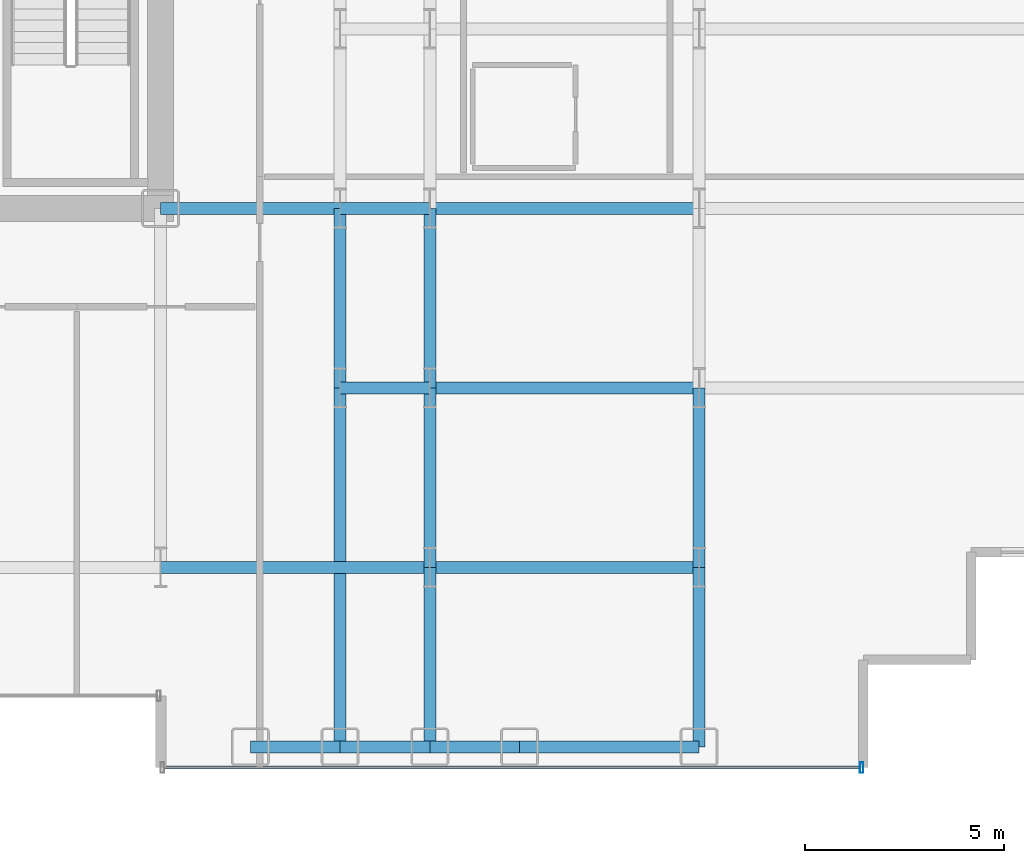
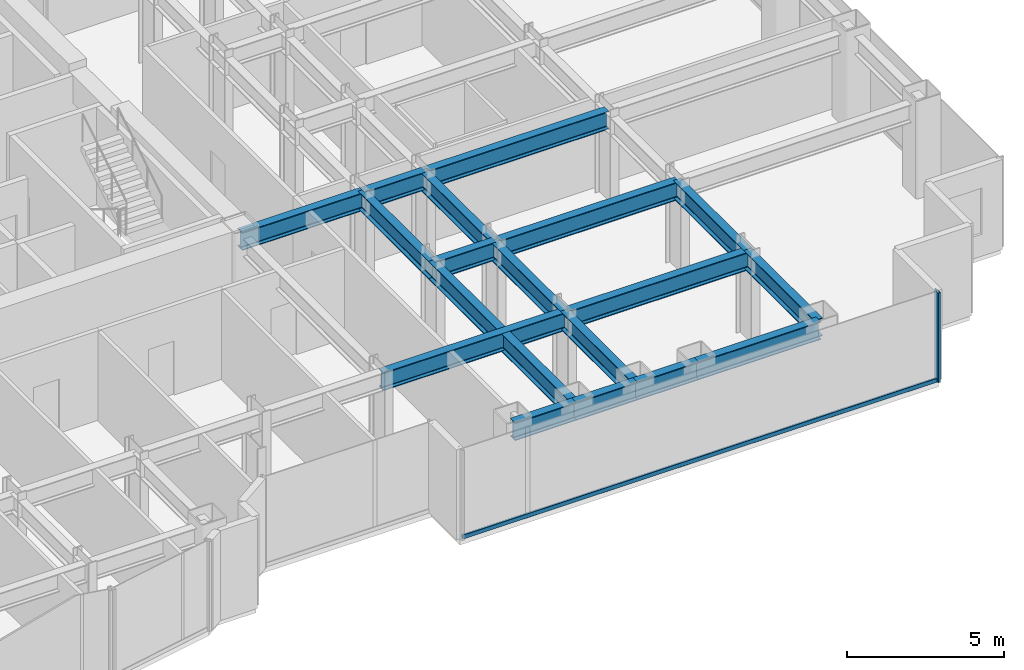
# One storey, part 7 of 26: 18 beams, 2 members, 1 element without a shape of its own.
"""IFC4 building model written with IfcOpenShell, lengths in metres."""

from ifc_helpers import new_model, si_unit, direction, frame, origin, origin_2d, place, context, subcontext, project, spatial, hollow_rectangle, i_section, extrude, source, transform, mapped, material, layer, layer_set, material_profile, profile_set, type_object, element, aggregate, save


model = new_model("IFC4")

# Units and contexts
model_context = context("Model", 3, precision=1e-05, world=origin(), true_north=direction((0.0, 1.0)))
body_context = subcontext(model_context, "Body", "Model", "MODEL_VIEW")
ifc_project = project(units=[si_unit("LENGTHUNIT", "METRE"), si_unit("AREAUNIT", "SQUARE_METRE"), si_unit("VOLUMEUNIT", "CUBIC_METRE"), si_unit("PLANEANGLEUNIT", "RADIAN"), si_unit("MASSUNIT", "GRAM", prefix="KILO")], contexts=[model_context])

# Site, building, storey
site_placement = place(None, origin())
site = spatial("IfcSite", under=ifc_project, at=site_placement, CompositionType="ELEMENT")
building_placement = place(site_placement, origin())
building = spatial("IfcBuilding", under=site, at=building_placement, Name="Nefas-Gora Pilgrimage Tower", CompositionType="ELEMENT")
storey_placement = place(building_placement, frame((0.0, 0.0, 82.39990234375)))
storey = spatial("IfcBuildingStorey", under=building, at=storey_placement, Name="L19", CompositionType="ELEMENT", Elevation=82.39990234375)

# Beams
ifc_material_1 = material(Name="Steel S355", Category="steel")
ifc_material_profile_1 = material_profile(ifc_material_1, i_section(OverallWidth=0.300048828125, OverallDepth=0.699951171875, WebThickness=0.01708984375, FlangeThickness=0.031982421875, FilletRadius=0.027099609375, at=origin_2d()), Name="HEB 700")
ifc_profile_set_1 = profile_set([ifc_material_profile_1], Name="Steel S355")
beam_type_1 = type_object("IfcBeamType", Name="BM-SPN-HEB600", PredefinedType="SPANDREL", material=ifc_profile_set_1)
shared_shape_1 = source(origin(), body_context, "Body", "SweptSolid", [
    extrude(i_section(OverallWidth=0.300048828125, OverallDepth=0.699951171875, WebThickness=0.01708984375, FlangeThickness=0.031982421875, FilletRadius=0.027099609375, at=origin_2d()), origin(), (0.0, 0.0, 1.0), 4.5),
])
beam_1_placement = place(storey_placement, frame((20.25, -22.5, 3.150146484375), z_axis=(1.0, 0.0, 0.0), x_axis=(0.0, 1.0, 0.0)))
element("IfcBeam", 1, at=beam_1_placement, inside=storey, type_object=beam_type_1, Name="L19 SP-01 beam", PredefinedType="SPANDREL", context=body_context, shape_type="MappedRepresentation", body=[
    mapped(shared_shape_1, transform((0.0, 0.0, 0.0), x_axis=(1.0, 0.0, 0.0), y_axis=(0.0, 1.0, 0.0), z_axis=(0.0, 0.0, 1.0), scale=1.0)),
])
ifc_material_profile_2 = material_profile(ifc_material_1, i_section(OverallWidth=0.300048828125, OverallDepth=0.699951171875, WebThickness=0.01708984375, FlangeThickness=0.031982421875, FilletRadius=0.027099609375, at=origin_2d()), Name="HEB 700")
ifc_profile_set_2 = profile_set([ifc_material_profile_2], Name="Steel S355")
beam_type_2 = type_object("IfcBeamType", Name="BM-GIR-HEB700", PredefinedType="BEAM", material=ifc_profile_set_2)
shared_shape_2 = source(origin(), body_context, "Body", "SweptSolid", [
    extrude(i_section(OverallWidth=0.300048828125, OverallDepth=0.699951171875, WebThickness=0.01708984375, FlangeThickness=0.031982421875, FilletRadius=0.027099609375, at=origin_2d()), origin(), (0.0, 0.0, 1.0), 9.0),
])
beam_2_placement = place(storey_placement, frame((15.75, -22.5, 3.150146484375), z_axis=(0.0, 1.0, 0.0), x_axis=(-1.0, 0.0, 0.0)))
element("IfcBeam", 2, at=beam_2_placement, inside=storey, type_object=beam_type_2, Name="L19 G-02 beam", PredefinedType="BEAM", context=body_context, shape_type="MappedRepresentation", body=[
    mapped(shared_shape_2, transform((0.0, 0.0, 0.0), x_axis=(1.0, 0.0, 0.0), y_axis=(0.0, 1.0, 0.0), z_axis=(0.0, 0.0, 1.0), scale=1.0)),
])
shared_shape_3 = source(origin(), body_context, "Body", "SweptSolid", [
    extrude(i_section(OverallWidth=0.300048828125, OverallDepth=0.699951171875, WebThickness=0.01708984375, FlangeThickness=0.031982421875, FilletRadius=0.027099609375, at=origin_2d()), origin(), (0.0, 0.0, 1.0), 4.5),
])
for number, where, z_axis, x_axis, name in (
    (3, (11.25, -9.0, 3.150146484375), (1.0, 0.0, 0.0), (0.0, 1.0, 0.0), "L19 G-02 beam"),
    (4, (15.75, -13.5, 3.150146484375), (0.0, 1.0, 0.0), (-1.0, 0.0, 0.0), "L19 G-02 beam"),
    (5, (18.0, -22.5, 3.150146484375), (0.0, 1.0, 0.0), (-1.0, 0.0, 0.0), "L19 G-02 beam"),
    (6, (18.0, -18.0, 3.150146484375), (0.0, 1.0, 0.0), (-1.0, 0.0, 0.0), "L19 G-02 beam"),
    (7, (18.0, -13.5, 3.150146484375), (0.0, 1.0, 0.0), (-1.0, 0.0, 0.0), "L19 G-02 beam"),
    (8, (24.75, -22.5, 3.150146484375), (0.0, 1.0, 0.0), (-1.0, 0.0, 0.0), "L19 G-02 beam"),
    (9, (24.75, -18.0, 3.150146484375), (0.0, 1.0, 0.0), (-1.0, 0.0, 0.0), "L19 G-02 beam"),
):
    element("IfcBeam", number, at=place(storey_placement, frame(where, z_axis=z_axis, x_axis=x_axis)), inside=storey, type_object=beam_type_2, Name=name, PredefinedType="BEAM", context=body_context, shape_type="MappedRepresentation", body=[
        mapped(shared_shape_3, transform((0.0, 0.0, 0.0), x_axis=(1.0, 0.0, 0.0), y_axis=(0.0, 1.0, 0.0), z_axis=(0.0, 0.0, 1.0), scale=1.0)),
    ])
shared_shape_4 = source(origin(), body_context, "Body", "SweptSolid", [
    extrude(i_section(OverallWidth=0.300048828125, OverallDepth=0.699951171875, WebThickness=0.01708984375, FlangeThickness=0.031982421875, FilletRadius=0.027099609375, at=origin_2d()), origin(), (0.0, 0.0, 1.0), 6.75),
])
for number, where, z_axis, x_axis, name in (
    (10, (11.25, -18.0, 3.150146484375), (1.0, 0.0, 0.0), (0.0, 1.0, 0.0), "L19 G-02 beam"),
    (11, (18.0, -18.0, 3.150146484375), (1.0, 0.0, 0.0), (0.0, 1.0, 0.0), "L19 G-02 beam"),
    (12, (18.0, -13.5, 3.150146484375), (1.0, 0.0, 0.0), (0.0, 1.0, 0.0), "L19 G-02 beam"),
    (13, (18.0, -9.0, 3.150146484375), (1.0, 0.0, 0.0), (0.0, 1.0, 0.0), "L19 G-02 beam"),
):
    element("IfcBeam", number, at=place(storey_placement, frame(where, z_axis=z_axis, x_axis=x_axis)), inside=storey, type_object=beam_type_2, Name=name, PredefinedType="BEAM", context=body_context, shape_type="MappedRepresentation", body=[
        mapped(shared_shape_4, transform((0.0, 0.0, 0.0), x_axis=(1.0, 0.0, 0.0), y_axis=(0.0, 1.0, 0.0), z_axis=(0.0, 0.0, 1.0), scale=1.0)),
    ])
shared_shape_5 = source(origin(), body_context, "Body", "SweptSolid", [
    extrude(i_section(OverallWidth=0.300048828125, OverallDepth=0.699951171875, WebThickness=0.01708984375, FlangeThickness=0.031982421875, FilletRadius=0.027099609375, at=origin_2d()), origin(), (0.0, 0.0, 1.0), 2.25),
])
for number, where, z_axis, x_axis, name in (
    (14, (13.5, -22.5, 3.150146484375), (1.0, 0.0, 0.0), (0.0, 1.0, 0.0), "L19 SP-01 beam"),
    (15, (15.75, -22.5, 3.150146484375), (1.0, 0.0, 0.0), (0.0, 1.0, 0.0), "L19 SP-01 beam"),
    (16, (18.0, -22.5, 3.150146484375), (1.0, 0.0, 0.0), (0.0, 1.0, 0.0), "L19 SP-01 beam"),
):
    element("IfcBeam", number, at=place(storey_placement, frame(where, z_axis=z_axis, x_axis=x_axis)), inside=storey, type_object=beam_type_1, Name=name, PredefinedType="SPANDREL", context=body_context, shape_type="MappedRepresentation", body=[
        mapped(shared_shape_5, transform((0.0, 0.0, 0.0), x_axis=(1.0, 0.0, 0.0), y_axis=(0.0, 1.0, 0.0), z_axis=(0.0, 0.0, 1.0), scale=1.0)),
    ])
shared_shape_6 = source(origin(), body_context, "Body", "SweptSolid", [
    extrude(i_section(OverallWidth=0.300048828125, OverallDepth=0.699951171875, WebThickness=0.01708984375, FlangeThickness=0.031982421875, FilletRadius=0.027099609375, at=origin_2d()), origin(), (0.0, 0.0, 1.0), 2.25),
])
for number, where, z_axis, x_axis, name in (
    (17, (15.75, -13.5, 3.150146484375), (1.0, 0.0, 0.0), (0.0, 1.0, 0.0), "L19 G-02 beam"),
    (18, (15.75, -9.0, 3.150146484375), (1.0, 0.0, 0.0), (0.0, 1.0, 0.0), "L19 G-02 beam"),
):
    element("IfcBeam", number, at=place(storey_placement, frame(where, z_axis=z_axis, x_axis=x_axis)), inside=storey, type_object=beam_type_2, Name=name, PredefinedType="BEAM", context=body_context, shape_type="MappedRepresentation", body=[
        mapped(shared_shape_6, transform((0.0, 0.0, 0.0), x_axis=(1.0, 0.0, 0.0), y_axis=(0.0, 1.0, 0.0), z_axis=(0.0, 0.0, 1.0), scale=1.0)),
    ])

# Curtain wall, members
ifc_material_2 = material(Name="Dark ceramic-fritted solar-control aluminium-glass curtain wall", Category="aluminium")
ifc_layer = layer(ifc_material_2, 0.219970703125)
ifc_layer_set = layer_set([ifc_layer], Name="Dark ceramic-fritted solar-control aluminium-glass curtain wall")
curtain_wall_type = type_object("IfcCurtainWallType", Name="CW-SYS-2", PredefinedType="NOTDEFINED", material=ifc_layer_set)
curtain_wall_placement = place(storey_placement, origin())
curtain_wall = element("IfcCurtainWall", 19, at=curtain_wall_placement, inside=storey, type_object=curtain_wall_type, Name="L19 Unitised Curtain Wall CW2", PredefinedType="NOTDEFINED")
ifc_material_3 = material(Name="Anodised architectural aluminium", Category="aluminium")
ifc_material_profile_3 = material_profile(ifc_material_3, hollow_rectangle(XDim=0.080078125, YDim=0.159912109375, WallThickness=0.00439453125, InnerFilletRadius=0.00439453125, OuterFilletRadius=0.009033203125, at=origin_2d()), Name="ALU TRANSOM 80x160")
ifc_profile_set_3 = profile_set([ifc_material_profile_3], Name="Anodised architectural aluminium")
member_type_1 = type_object("IfcMemberType", Name="CWM-TRN-2", PredefinedType="USERDEFINED", material=ifc_profile_set_3)
shared_shape_7 = source(origin(), body_context, "Body", "SweptSolid", [
    extrude(hollow_rectangle(XDim=0.080078125, YDim=0.159912109375, WallThickness=0.00439453125, InnerFilletRadius=0.00439453125, OuterFilletRadius=0.009033203125, at=origin_2d()), origin(), (0.0, 0.0, 1.0), 17.43994140625),
])
member_1_placement = place(storey_placement, frame((11.340087890625, -23.02001953125, 0.050048828125), z_axis=(1.0, 0.0, 0.0), x_axis=(0.0, 1.0, 0.0)))
member_1 = element("IfcMember", 20, at=member_1_placement, type_object=member_type_1, Name="CW2 Spandrel Transom", ObjectType="TRANSOM", PredefinedType="USERDEFINED", context=body_context, shape_type="MappedRepresentation", body=[
    mapped(shared_shape_7, transform((0.0, 0.0, 0.0), x_axis=(1.0, 0.0, 0.0), y_axis=(0.0, 1.0, 0.0), z_axis=(0.0, 0.0, 1.0), scale=1.0)),
])
ifc_material_profile_4 = material_profile(ifc_material_3, hollow_rectangle(XDim=0.090087890625, YDim=0.260009765625, WallThickness=0.006103515625, InnerFilletRadius=0.006103515625, OuterFilletRadius=0.011962890625, at=origin_2d()), Name="ALU MULLION 90x260")
ifc_profile_set_4 = profile_set([ifc_material_profile_4], Name="Anodised architectural aluminium")
member_type_2 = type_object("IfcMemberType", Name="CWM-MUL-2", PredefinedType="MULLION", material=ifc_profile_set_4)
shared_shape_8 = source(origin(), body_context, "Body", "SweptSolid", [
    extrude(hollow_rectangle(XDim=0.090087890625, YDim=0.260009765625, WallThickness=0.006103515625, InnerFilletRadius=0.006103515625, OuterFilletRadius=0.011962890625, at=origin_2d()), origin(), (0.0, 0.0, 1.0), 3.5),
])
member_2_placement = place(storey_placement, frame((28.824951171875, -23.02001953125, 0.0), z_axis=(0.0, 0.0, 1.0), x_axis=(1.0, 0.0, 0.0)))
member_2 = element("IfcMember", 21, at=member_2_placement, type_object=member_type_2, Name="CW2 Mullion 2", PredefinedType="MULLION", context=body_context, shape_type="MappedRepresentation", body=[
    mapped(shared_shape_8, transform((0.0, 0.0, 0.0), x_axis=(1.0, 0.0, 0.0), y_axis=(0.0, 1.0, 0.0), z_axis=(0.0, 0.0, 1.0), scale=1.0)),
])
aggregate(curtain_wall, [member_2, member_1])

save(model, "model.ifc")
